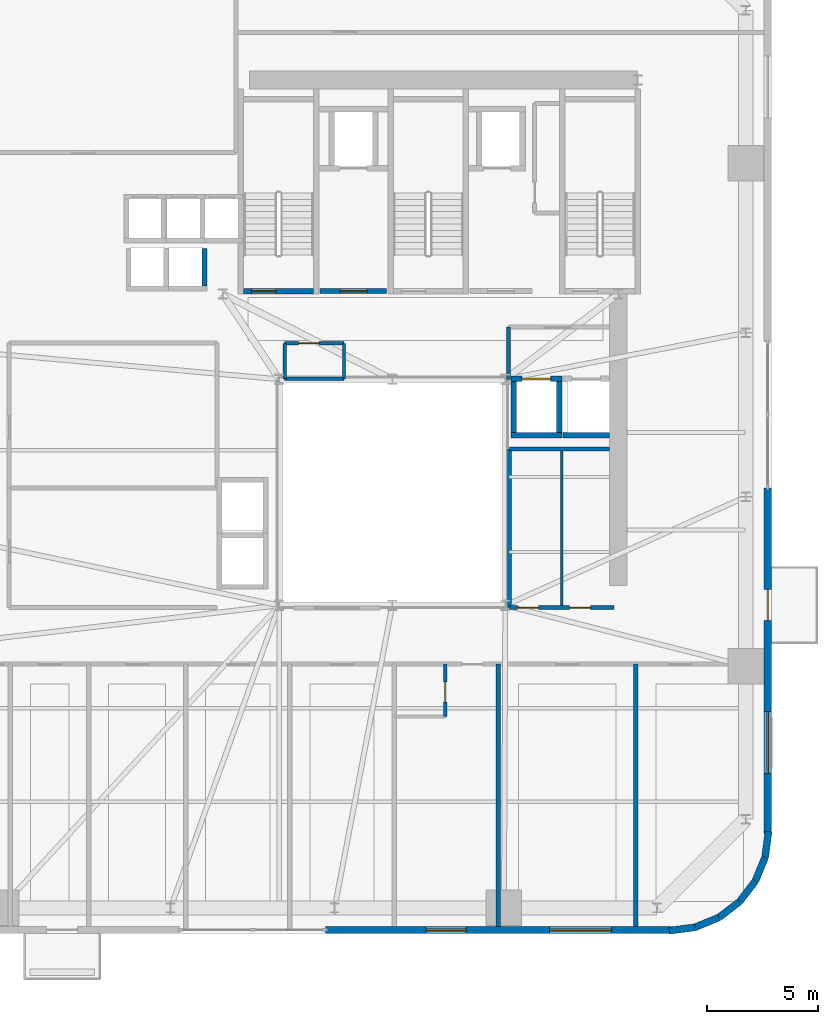
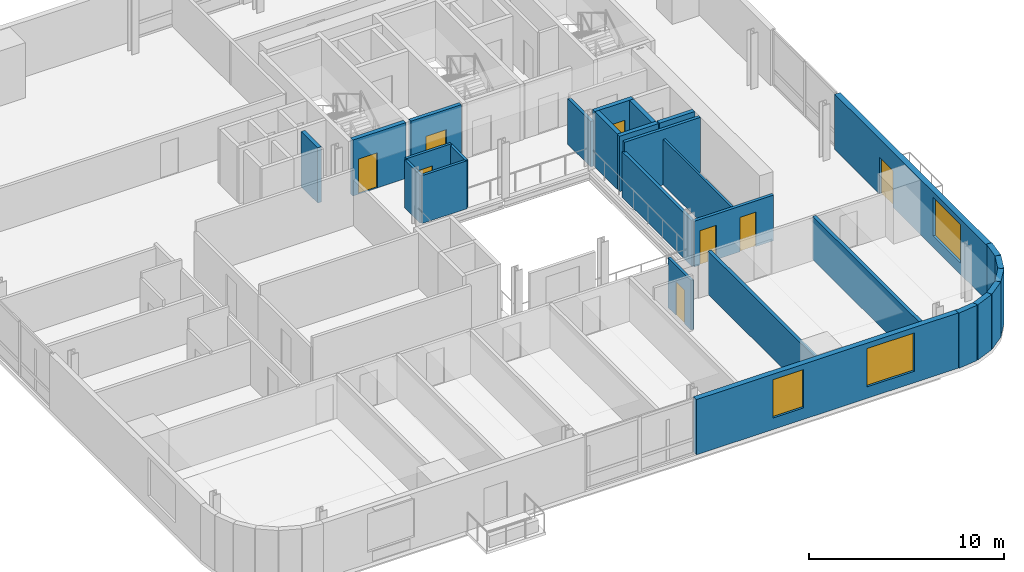
# One storey, part 7 of 11: 28 walls, 8 doors, 3 windows, 11 openings.
"""IFC4 building model written with IfcOpenShell, lengths in metres."""

from ifc_helpers import new_model, si_unit, direction, frame, frame_2d, origin, place, context, subcontext, project, spatial, rectangle, extrude, source, transform, mapped, material, layer, layer_set, type_object, element, fill, save


model = new_model("IFC4")

# Units and contexts
model_context = context("Model", 3, precision=1e-05, world=origin(), true_north=direction((0.0, 1.0)))
body_context = subcontext(model_context, "Body", "Model", "MODEL_VIEW")
ifc_project = project(units=[si_unit("LENGTHUNIT", "METRE"), si_unit("AREAUNIT", "SQUARE_METRE"), si_unit("VOLUMEUNIT", "CUBIC_METRE"), si_unit("PLANEANGLEUNIT", "RADIAN"), si_unit("MASSUNIT", "GRAM", prefix="KILO")], contexts=[model_context])

# Site, building, storey
site_placement = place(None, origin())
site = spatial("IfcSite", under=ifc_project, at=site_placement, CompositionType="ELEMENT")
building_placement = place(site_placement, origin())
building = spatial("IfcBuilding", under=site, at=building_placement, Name="Vardaveli Station Tower", CompositionType="ELEMENT")
storey_placement = place(building_placement, frame((0.0, 0.0, 155.699951171875)))
storey = spatial("IfcBuildingStorey", under=building, at=storey_placement, Name="L40", CompositionType="ELEMENT", Elevation=155.699951171875)

# Wall, openings, windows
ifc_material_1 = material(Name="Precast concrete C45/55", Category="concrete")
ifc_layer_1 = layer(ifc_material_1, 0.320068359375, Name="Precast concrete C45/55")
ifc_layer_set_1 = layer_set([ifc_layer_1], Name="Precast concrete C45/55")
wall_type_1 = type_object("IfcWallType", Name="WAL-EXT-STONE-320", PredefinedType="SOLIDWALL", material=ifc_layer_set_1)
shared_shape_1 = source(origin(), body_context, "Body", "SweptSolid", [
    extrude(rectangle(XDim=15.599853515625, YDim=0.320068359375, at=frame_2d((7.7998046875, 0.0))), origin(), (0.0, 0.0, 1.0), 3.4599609375),
])
wall_1_placement = place(storey_placement, frame((33.300048828125, 1.9599609375, 0.0), z_axis=(0.0, 0.0, 1.0), x_axis=(1.0, 0.0, 0.0)))
wall_1 = element("IfcWall", 1, at=wall_1_placement, inside=storey, type_object=wall_type_1, Name="EW-L40-S2", PredefinedType="SOLIDWALL", context=body_context, shape_type="MappedRepresentation", body=[
    mapped(shared_shape_1, transform((0.0, 0.0, 0.0), scale=1.0)),
])
shared_shape_2 = source(origin(), body_context, "Body", "SweptSolid", [
    extrude(rectangle(XDim=2.800048828125, YDim=2.39990234375, at=frame_2d((1.39990234375, 1.199951171875))), frame((0.0, 0.169921875, 0.0), z_axis=(0.0, -1.0, 0.0), x_axis=(1.0, 0.0, 0.0)), (0.0, 0.0, 1.0), 0.340087890625),
])
opening_1_placement = place(wall_1_placement, frame((10.094970703125, 0.0, 0.719970703125)))
opening_1 = element("IfcOpeningElement", 2, at=opening_1_placement, cuts=wall_1, Name="Opening W-04", PredefinedType="OPENING", context=body_context, shape_type="MappedRepresentation", body=[
    mapped(shared_shape_2, transform((0.0, 0.0, 0.0), scale=1.0)),
])
shared_shape_3 = source(origin(), body_context, "Body", "SweptSolid", [
    extrude(rectangle(XDim=1.800048828125, YDim=2.39990234375, at=frame_2d((0.89990234375, 1.199951171875))), frame((0.0, 0.169921875, 0.0), z_axis=(0.0, -1.0, 0.0), x_axis=(1.0, 0.0, 0.0)), (0.0, 0.0, 1.0), 0.340087890625),
])
opening_2_placement = place(wall_1_placement, frame((4.533203125, 0.0, 0.719970703125)))
opening_2 = element("IfcOpeningElement", 3, at=opening_2_placement, cuts=wall_1, Name="Opening W-05", PredefinedType="OPENING", context=body_context, shape_type="MappedRepresentation", body=[
    mapped(shared_shape_3, transform((0.0, 0.0, 0.0), scale=1.0)),
])
ifc_material_2 = material(Name="Low-E solar-control glass", Category="glass")
window_type_1 = type_object("IfcWindowType", Name="WIN-SUITE-2800x2400", PartitioningType="SINGLE_PANEL", PredefinedType="WINDOW", material=ifc_material_2)
shared_shape_4 = source(origin(), body_context, "Body", "SweptSolid", [
    extrude(rectangle(XDim=2.800048828125, YDim=2.39990234375, at=frame_2d((1.39990234375, 1.199951171875))), frame((0.0, 0.030029296875, 0.0), z_axis=(0.0, -1.0, 0.0), x_axis=(1.0, 0.0, 0.0)), (0.0, 0.0, 1.0), 0.06005859375),
])
window_1_placement = place(opening_1_placement, origin())
window_1 = element("IfcWindow", 4, at=window_1_placement, inside=storey, type_object=window_type_1, Name="WN-L40-S2", OverallHeight=2.39990234375, OverallWidth=2.800048828125, PartitioningType="SINGLE_PANEL", PredefinedType="WINDOW", context=body_context, shape_type="MappedRepresentation", body=[
    mapped(shared_shape_4, transform((0.0, 0.0, 0.0), scale=1.0)),
])
fill(opening_1, window_1)
window_type_2 = type_object("IfcWindowType", Name="WIN-HIGH-1800x2400", PartitioningType="SINGLE_PANEL", PredefinedType="WINDOW", material=ifc_material_2)
shared_shape_5 = source(origin(), body_context, "Body", "SweptSolid", [
    extrude(rectangle(XDim=1.800048828125, YDim=2.39990234375, at=frame_2d((0.89990234375, 1.199951171875))), frame((0.0, 0.030029296875, 0.0), z_axis=(0.0, -1.0, 0.0), x_axis=(1.0, 0.0, 0.0)), (0.0, 0.0, 1.0), 0.06005859375),
])
window_2_placement = place(opening_2_placement, origin())
window_2 = element("IfcWindow", 5, at=window_2_placement, inside=storey, type_object=window_type_2, Name="WN-L40-GW1", OverallHeight=2.39990234375, OverallWidth=1.800048828125, PartitioningType="SINGLE_PANEL", PredefinedType="WINDOW", context=body_context, shape_type="MappedRepresentation", body=[
    mapped(shared_shape_5, transform((0.0, 0.0, 0.0), scale=1.0)),
])
fill(opening_2, window_2)

# Wall, openings, door, window
wall_2_placement = place(storey_placement, frame((53.239990234375, 6.300048828125, 0.0), z_axis=(0.0, 0.0, 1.0), x_axis=(0.0, 1.0, 0.0)))
wall_2 = element("IfcWall", 6, at=wall_2_placement, inside=storey, type_object=wall_type_1, Name="EW-L40-E1", PredefinedType="SOLIDWALL", context=body_context, shape_type="MappedRepresentation", body=[
    mapped(shared_shape_1, transform((0.0, 0.0, 0.0), scale=1.0)),
])
shared_shape_6 = source(origin(), body_context, "Body", "SweptSolid", [
    extrude(rectangle(XDim=1.39990234375, YDim=2.300048828125, at=frame_2d((0.699951171875, 1.14990234375))), frame((0.0, 0.169921875, 0.0), z_axis=(0.0, -1.0, 0.0), x_axis=(1.0, 0.0, 0.0)), (0.0, 0.0, 1.0), 0.340087890625),
])
opening_3_placement = place(wall_2_placement, frame((9.6103515625, 0.0, 0.0)))
opening_3 = element("IfcOpeningElement", 7, at=opening_3_placement, cuts=wall_2, Name="Opening D-09", PredefinedType="OPENING", context=body_context, shape_type="MappedRepresentation", body=[
    mapped(shared_shape_6, transform((0.0, 0.0, 0.0), scale=1.0)),
])
opening_4_placement = place(wall_2_placement, frame((2.705078125, 0.0, 0.719970703125)))
opening_4 = element("IfcOpeningElement", 8, at=opening_4_placement, cuts=wall_2, Name="Opening W-04", PredefinedType="OPENING", context=body_context, shape_type="MappedRepresentation", body=[
    mapped(shared_shape_2, transform((0.0, 0.0, 0.0), scale=1.0)),
])
ifc_material_3 = material(Name="Thermally broken aluminium glass", Category="aluminium")
door_type_1 = type_object("IfcDoorType", Name="DR-LOG-1400x2300", OperationType="DOUBLE_DOOR_SLIDING", PredefinedType="DOOR", material=ifc_material_3)
shared_shape_7 = source(origin(), body_context, "Body", "SweptSolid", [
    extrude(rectangle(XDim=1.39990234375, YDim=2.300048828125, at=frame_2d((0.699951171875, 1.14990234375))), frame((0.0, 0.02490234375, 0.0), z_axis=(0.0, -1.0, 0.0), x_axis=(1.0, 0.0, 0.0)), (0.0, 0.0, 1.0), 0.050048828125),
])
door_1_placement = place(opening_3_placement, frame((1.39990234375, 0.0, 0.0), z_axis=(0.0, 0.0, 1.0), x_axis=(-1.0, 0.0, 0.0)))
door_1 = element("IfcDoor", 9, at=door_1_placement, inside=storey, type_object=door_type_1, Name="DLG-L40-E", OperationType="DOUBLE_DOOR_SLIDING", OverallHeight=2.300048828125, OverallWidth=1.39990234375, PredefinedType="DOOR", context=body_context, shape_type="MappedRepresentation", body=[
    mapped(shared_shape_7, transform((0.0, 0.0, 0.0), scale=1.0)),
])
fill(opening_3, door_1)
window_3_placement = place(opening_4_placement, origin())
window_3 = element("IfcWindow", 10, at=window_3_placement, inside=storey, type_object=window_type_1, Name="WN-L40-E1", OverallHeight=2.39990234375, OverallWidth=2.800048828125, PartitioningType="SINGLE_PANEL", PredefinedType="WINDOW", context=body_context, shape_type="MappedRepresentation", body=[
    mapped(shared_shape_4, transform((0.0, 0.0, 0.0), scale=1.0)),
])
fill(opening_4, window_3)

# Walls
shared_shape_8 = source(origin(), body_context, "Body", "SweptSolid", [
    extrude(rectangle(XDim=1.170654296875, YDim=0.320068359375, at=frame_2d((0.58544921875, 0.0))), origin(), (0.0, 0.0, 1.0), 3.4599609375),
])
wall_3_placement = place(storey_placement, frame((53.12548828125, 5.23974609375, 0.0), z_axis=(0.0, 0.0, 1.0), x_axis=(0.128269133229, 0.991739395941, 0.0)))
element("IfcWall", 11, at=wall_3_placement, inside=storey, type_object=wall_type_1, Name="EW-L40-CR2-6", PredefinedType="SOLIDWALL", context=body_context, shape_type="MappedRepresentation", body=[
    mapped(shared_shape_8, transform((0.0, 0.0, 0.0), scale=1.0)),
])
shared_shape_9 = source(origin(), body_context, "Body", "SweptSolid", [
    extrude(rectangle(XDim=1.1689453125, YDim=0.320068359375, at=frame_2d((0.58447265625, 0.0))), origin(), (0.0, 0.0, 1.0), 3.4599609375),
])
for number, where, z_axis, x_axis, name in (
    (12, (51.96875, 3.231201171875, 0.0), (0.0, 0.0, 1.0), (0.608387696831, 0.793639975269, 0.0), "EW-L40-CR2-4"),
    (13, (52.679931640625, 4.158935546875, 0.0), (0.0, 0.0, 1.0), (0.381127904695, 0.924522320046, 0.0), "EW-L40-CR2-5"),
):
    element("IfcWall", number, at=place(storey_placement, frame(where, z_axis=z_axis, x_axis=x_axis)), inside=storey, type_object=wall_type_1, Name=name, PredefinedType="SOLIDWALL", context=body_context, shape_type="MappedRepresentation", body=[
        mapped(shared_shape_9, transform((0.0, 0.0, 0.0), scale=1.0)),
    ])
shared_shape_10 = source(origin(), body_context, "Body", "SweptSolid", [
    extrude(rectangle(XDim=1.168701171875, YDim=0.320068359375, at=frame_2d((0.58447265625, 0.0))), origin(), (0.0, 0.0, 1.0), 3.4599609375),
])
wall_4_placement = place(storey_placement, frame((51.041259765625, 2.520263671875, 0.0), z_axis=(0.0, 0.0, 1.0), x_axis=(0.793663520347, 0.608356981114, 0.0)))
element("IfcWall", 14, at=wall_4_placement, inside=storey, type_object=wall_type_1, Name="EW-L40-CR2-3", PredefinedType="SOLIDWALL", context=body_context, shape_type="MappedRepresentation", body=[
    mapped(shared_shape_10, transform((0.0, 0.0, 0.0), scale=1.0)),
])
shared_shape_11 = source(origin(), body_context, "Body", "SweptSolid", [
    extrude(rectangle(XDim=1.16943359375, YDim=0.320068359375, at=frame_2d((0.584716796875, 0.0))), origin(), (0.0, 0.0, 1.0), 3.4599609375),
])
wall_5_placement = place(storey_placement, frame((49.960205078125, 2.074462890625, 0.0), z_axis=(0.0, 0.0, 1.0), x_axis=(0.924479075121, 0.381232789334, 0.0)))
element("IfcWall", 15, at=wall_5_placement, inside=storey, type_object=wall_type_1, Name="EW-L40-CR2-2", PredefinedType="SOLIDWALL", context=body_context, shape_type="MappedRepresentation", body=[
    mapped(shared_shape_11, transform((0.0, 0.0, 0.0), scale=1.0)),
])
shared_shape_12 = source(origin(), body_context, "Body", "SweptSolid", [
    extrude(rectangle(XDim=1.170166015625, YDim=0.320068359375, at=frame_2d((0.5849609375, 0.0))), origin(), (0.0, 0.0, 1.0), 3.4599609375),
])
wall_6_placement = place(storey_placement, frame((48.799560546875, 1.924560546875, 0.0), z_axis=(0.0, 0.0, 1.0), x_axis=(0.991762485493, 0.128090485085, 0.0)))
element("IfcWall", 16, at=wall_6_placement, inside=storey, type_object=wall_type_1, Name="EW-L40-CR2-1", PredefinedType="SOLIDWALL", context=body_context, shape_type="MappedRepresentation", body=[
    mapped(shared_shape_12, transform((0.0, 0.0, 0.0), scale=1.0)),
])

# Wall, opening, door
ifc_material_4 = material(Name="Concrete C40/50", Category="concrete")
ifc_layer_2 = layer(ifc_material_4, 0.25, Name="Concrete C40/50")
ifc_layer_set_2 = layer_set([ifc_layer_2], Name="Concrete C40/50")
wall_type_2 = type_object("IfcWallType", Name="WAL-SHAFT-250", PredefinedType="SOLIDWALL", material=ifc_layer_set_2)
shared_shape_13 = source(origin(), body_context, "Body", "SweptSolid", [
    extrude(rectangle(XDim=3.14990234375, YDim=0.25, at=frame_2d((1.574951171875, 0.0))), origin(), (0.0, 0.0, 1.0), 3.5),
])
wall_7_placement = place(storey_placement, frame((29.60009765625, 30.77490234375, 0.0), z_axis=(0.0, 0.0, 1.0), x_axis=(1.0, 0.0, 0.0)))
wall_7 = element("IfcWall", 17, at=wall_7_placement, inside=storey, type_object=wall_type_2, Name="W-L40-ST-1S", PredefinedType="SOLIDWALL", context=body_context, shape_type="MappedRepresentation", body=[
    mapped(shared_shape_13, transform((0.0, 0.0, 0.0), scale=1.0)),
])
shared_shape_14 = source(origin(), body_context, "Body", "SweptSolid", [
    extrude(rectangle(XDim=1.10009765625, YDim=2.199951171875, at=frame_2d((0.550048828125, 1.10009765625))), frame((0.0, 0.135009765625, 0.0), z_axis=(0.0, -1.0, 0.0), x_axis=(1.0, 0.0, 0.0)), (0.0, 0.0, 1.0), 0.27001953125),
])
opening_5_placement = place(wall_7_placement, frame((0.35009765625, 0.0, 0.0)))
opening_5 = element("IfcOpeningElement", 18, at=opening_5_placement, cuts=wall_7, Name="Opening D-04", PredefinedType="OPENING", context=body_context, shape_type="MappedRepresentation", body=[
    mapped(shared_shape_14, transform((0.0, 0.0, 0.0), scale=1.0)),
])
ifc_material_5 = material(Name="Steel smokeproof fire doorset", Category="steel")
door_type_2 = type_object("IfcDoorType", Name="DR-ST-1100x2200", OperationType="NOTDEFINED", PredefinedType="DOOR", material=ifc_material_5)
shared_shape_15 = source(origin(), body_context, "Body", "SweptSolid", [
    extrude(rectangle(XDim=1.10009765625, YDim=2.199951171875, at=frame_2d((0.550048828125, 1.10009765625))), frame((0.0, 0.02490234375, 0.0), z_axis=(0.0, -1.0, 0.0), x_axis=(1.0, 0.0, 0.0)), (0.0, 0.0, 1.0), 0.050048828125),
])
door_2_placement = place(opening_5_placement, origin())
door_2 = element("IfcDoor", 19, at=door_2_placement, inside=storey, type_object=door_type_2, Name="DST-1-L40", OperationType="SINGLE_SWING_LEFT", OverallHeight=2.199951171875, OverallWidth=1.10009765625, PredefinedType="DOOR", context=body_context, shape_type="MappedRepresentation", body=[
    mapped(shared_shape_15, transform((0.0, 0.0, 0.0), scale=1.0)),
])
fill(opening_5, door_2)

ifc_layer_3 = layer(ifc_material_4, 0.219970703125, Name="Concrete C40/50")
ifc_layer_set_3 = layer_set([ifc_layer_3], Name="Concrete C40/50")
wall_type_3 = type_object("IfcWallType", Name="WAL-FFLOBBY-220", PredefinedType="SOLIDWALL", material=ifc_layer_set_3)
shared_shape_16 = source(origin(), body_context, "Body", "SweptSolid", [
    extrude(rectangle(XDim=3.0, YDim=0.219970703125, at=frame_2d((1.5, 0.0))), origin(), (0.0, 0.0, 1.0), 3.4599609375),
])
wall_8_placement = place(storey_placement, frame((33.050048828125, 30.780029296875, 0.0), z_axis=(0.0, 0.0, 1.0), x_axis=(1.0, 0.0, 0.0)))
wall_8 = element("IfcWall", 20, at=wall_8_placement, inside=storey, type_object=wall_type_3, Name="W-L40-FFL1S", PredefinedType="SOLIDWALL", context=body_context, shape_type="MappedRepresentation", body=[
    mapped(shared_shape_16, transform((0.0, 0.0, 0.0), scale=1.0)),
])
shared_shape_17 = source(origin(), body_context, "Body", "SweptSolid", [
    extrude(rectangle(XDim=1.199951171875, YDim=2.199951171875, at=frame_2d((0.60009765625, 1.10009765625))), frame((0.0, 0.1201171875, 0.0), z_axis=(0.0, -1.0, 0.0), x_axis=(1.0, 0.0, 0.0)), (0.0, 0.0, 1.0), 0.239990234375),
])
opening_6_placement = place(wall_8_placement, frame((0.89990234375, 0.0, 0.0)))
opening_6 = element("IfcOpeningElement", 21, at=opening_6_placement, cuts=wall_8, Name="Opening D-03", PredefinedType="OPENING", context=body_context, shape_type="MappedRepresentation", body=[
    mapped(shared_shape_17, transform((0.0, 0.0, 0.0), scale=1.0)),
])
door_type_3 = type_object("IfcDoorType", Name="DR-FFL-1200x2200", OperationType="NOTDEFINED", PredefinedType="DOOR", material=ifc_material_5)
shared_shape_18 = source(origin(), body_context, "Body", "SweptSolid", [
    extrude(rectangle(XDim=1.199951171875, YDim=2.199951171875, at=frame_2d((0.60009765625, 1.10009765625))), frame((0.0, 0.02490234375, 0.0), z_axis=(0.0, -1.0, 0.0), x_axis=(1.0, 0.0, 0.0)), (0.0, 0.0, 1.0), 0.050048828125),
])
door_3_placement = place(opening_6_placement, origin())
door_3 = element("IfcDoor", 22, at=door_3_placement, inside=storey, type_object=door_type_3, Name="DFFL1-L40", OperationType="SINGLE_SWING_LEFT", OverallHeight=2.199951171875, OverallWidth=1.199951171875, PredefinedType="DOOR", context=body_context, shape_type="MappedRepresentation", body=[
    mapped(shared_shape_18, transform((0.0, 0.0, 0.0), scale=1.0)),
])
fill(opening_6, door_3)

# Walls
shared_shape_19 = source(origin(), body_context, "Body", "SweptSolid", [
    extrude(rectangle(XDim=1.699951171875, YDim=0.219970703125, at=frame_2d((0.85009765625, 0.0))), origin(), (0.0, 0.0, 1.0), 3.4599609375),
])
wall_9_placement = place(storey_placement, frame((27.8349609375, 31.0, 0.0), z_axis=(0.0, 0.0, 1.0), x_axis=(0.0, 1.0, 0.0)))
element("IfcWall", 23, at=wall_9_placement, inside=storey, type_object=wall_type_3, Name="SHW-SHU-02-L40-E", PredefinedType="SOLIDWALL", context=body_context, shape_type="MappedRepresentation", body=[
    mapped(shared_shape_19, transform((0.0, 0.0, 0.0), scale=1.0)),
])
shared_shape_20 = source(origin(), body_context, "Body", "SweptSolid", [
    extrude(rectangle(XDim=2.300048828125, YDim=0.25, at=frame_2d((1.14990234375, 0.0))), origin(), (0.0, 0.0, 1.0), 3.4599609375),
])
wall_10_placement = place(storey_placement, frame((41.64990234375, 24.27490234375, 0.0), z_axis=(0.0, 0.0, 1.0), x_axis=(1.0, 0.0, 0.0)))
element("IfcWall", 24, at=wall_10_placement, inside=storey, type_object=wall_type_2, Name="SHW-SRV-01-L40-S", PredefinedType="SOLIDWALL", context=body_context, shape_type="MappedRepresentation", body=[
    mapped(shared_shape_20, transform((0.0, 0.0, 0.0), scale=1.0)),
])

# Wall, opening, door
wall_11_placement = place(storey_placement, frame((41.64990234375, 26.824951171875, 0.0), z_axis=(0.0, 0.0, 1.0), x_axis=(1.0, 0.0, 0.0)))
wall_11 = element("IfcWall", 25, at=wall_11_placement, inside=storey, type_object=wall_type_2, Name="SHW-SRV-01-L40-N", PredefinedType="SOLIDWALL", context=body_context, shape_type="MappedRepresentation", body=[
    mapped(shared_shape_20, transform((0.0, 0.0, 0.0), scale=1.0)),
])
shared_shape_21 = source(origin(), body_context, "Body", "SweptSolid", [
    extrude(rectangle(XDim=1.300048828125, YDim=2.300048828125, at=frame_2d((0.64990234375, 1.14990234375))), frame((0.0, 0.135009765625, 0.0), z_axis=(0.0, -1.0, 0.0), x_axis=(1.0, 0.0, 0.0)), (0.0, 0.0, 1.0), 0.27001953125),
])
opening_7_placement = place(wall_11_placement, frame((0.5, 0.0, 0.0)))
opening_7 = element("IfcOpeningElement", 26, at=opening_7_placement, cuts=wall_11, Name="Opening LD-03", PredefinedType="OPENING", context=body_context, shape_type="MappedRepresentation", body=[
    mapped(shared_shape_21, transform((0.0, 0.0, 0.0), scale=1.0)),
])
ifc_material_6 = material(Name="Brushed stainless steel", Category="steel")
door_type_4 = type_object("IfcDoorType", Name="DR-LD-1300x2300", OperationType="DOUBLE_DOOR_SLIDING", PredefinedType="DOOR", material=ifc_material_6)
shared_shape_22 = source(origin(), body_context, "Body", "SweptSolid", [
    extrude(rectangle(XDim=1.300048828125, YDim=2.300048828125, at=frame_2d((0.64990234375, 1.14990234375))), frame((0.0, 0.02490234375, 0.0), z_axis=(0.0, -1.0, 0.0), x_axis=(1.0, 0.0, 0.0)), (0.0, 0.0, 1.0), 0.050048828125),
])
door_4_placement = place(opening_7_placement, origin())
door_4 = element("IfcDoor", 27, at=door_4_placement, inside=storey, type_object=door_type_4, Name="LD-SRV-01-L40", OperationType="DOUBLE_DOOR_SLIDING", OverallHeight=2.300048828125, OverallWidth=1.300048828125, PredefinedType="DOOR", context=body_context, shape_type="MappedRepresentation", body=[
    mapped(shared_shape_22, transform((0.0, 0.0, 0.0), scale=1.0)),
])
fill(opening_7, door_4)

# Walls
for number, where, z_axis, x_axis, name in (
    (28, (41.77490234375, 24.39990234375, 0.0), (0.0, 0.0, 1.0), (0.0, 1.0, 0.0), "SHW-SRV-01-L40-W"),
    (29, (43.824951171875, 24.39990234375, 0.0), (0.0, 0.0, 1.0), (0.0, 1.0, 0.0), "SHW-SRV-01-L40-E"),
):
    element("IfcWall", number, at=place(storey_placement, frame(where, z_axis=z_axis, x_axis=x_axis)), inside=storey, type_object=wall_type_2, Name=name, PredefinedType="SOLIDWALL", context=body_context, shape_type="MappedRepresentation", body=[
        mapped(shared_shape_20, transform((0.0, 0.0, 0.0), scale=1.0)),
    ])
shared_shape_23 = source(origin(), body_context, "Body", "SweptSolid", [
    extrude(rectangle(XDim=2.10009765625, YDim=0.25, at=frame_2d((1.050048828125, 0.0))), origin(), (0.0, 0.0, 1.0), 3.4599609375),
])
wall_12_placement = place(storey_placement, frame((44.0, 24.27490234375, 0.0), z_axis=(0.0, 0.0, 1.0), x_axis=(1.0, 0.0, 0.0)))
element("IfcWall", 30, at=wall_12_placement, inside=storey, type_object=wall_type_2, Name="SHW-SRV-02-L40-S", PredefinedType="SOLIDWALL", context=body_context, shape_type="MappedRepresentation", body=[
    mapped(shared_shape_23, transform((0.0, 0.0, 0.0), scale=1.0)),
])

# Wall, openings, doors
ifc_material_7 = material(Name="Fire-rated gypsum stud partition")
ifc_layer_4 = layer(ifc_material_7, 0.179931640625, Name="Fire-rated gypsum stud partition")
ifc_layer_set_4 = layer_set([ifc_layer_4], Name="Fire-rated gypsum stud partition")
wall_type_4 = type_object("IfcWallType", Name="WAL-CORR-180", PredefinedType="PARTITIONING", material=ifc_layer_set_4)
shared_shape_24 = source(origin(), body_context, "Body", "SweptSolid", [
    extrude(rectangle(XDim=4.699951171875, YDim=0.179931640625, at=frame_2d((2.35009765625, 0.0))), origin(), (0.0, 0.0, 1.0), 2.85205078125),
])
wall_13_placement = place(storey_placement, frame((41.60009765625, 16.5, 0.0), z_axis=(0.0, 0.0, 1.0), x_axis=(1.0, 0.0, 0.0)))
wall_13 = element("IfcWall", 31, at=wall_13_placement, inside=storey, type_object=wall_type_4, Name="W-L40-ATE-S", PredefinedType="PARTITIONING", context=body_context, shape_type="MappedRepresentation", body=[
    mapped(shared_shape_24, transform((0.0, 0.0, 0.0), scale=1.0)),
])
shared_shape_25 = source(origin(), body_context, "Body", "SweptSolid", [
    extrude(rectangle(XDim=0.949951171875, YDim=2.14990234375, at=frame_2d((0.47509765625, 1.074951171875))), frame((0.0, 0.10009765625, 0.0), z_axis=(0.0, -1.0, 0.0), x_axis=(1.0, 0.0, 0.0)), (0.0, 0.0, 1.0), 0.199951171875),
])
opening_8_placement = place(wall_13_placement, frame((0.35009765625, 0.0, 0.0)))
opening_8 = element("IfcOpeningElement", 32, at=opening_8_placement, cuts=wall_13, Name="Opening D-11", PredefinedType="OPENING", context=body_context, shape_type="MappedRepresentation", body=[
    mapped(shared_shape_25, transform((0.0, 0.0, 0.0), scale=1.0)),
])
opening_9_placement = place(wall_13_placement, frame((2.699951171875, 0.0, 0.0)))
opening_9 = element("IfcOpeningElement", 33, at=opening_9_placement, cuts=wall_13, Name="Opening D-11", PredefinedType="OPENING", context=body_context, shape_type="MappedRepresentation", body=[
    mapped(shared_shape_25, transform((0.0, 0.0, 0.0), scale=1.0)),
])
ifc_material_8 = material(Name="Oak veneer internal suite door")
door_type_5 = type_object("IfcDoorType", Name="DR-INT-950x2150", OperationType="NOTDEFINED", PredefinedType="DOOR", material=ifc_material_8)
shared_shape_26 = source(origin(), body_context, "Body", "SweptSolid", [
    extrude(rectangle(XDim=0.949951171875, YDim=2.14990234375, at=frame_2d((0.47509765625, 1.074951171875))), frame((0.0, 0.02490234375, 0.0), z_axis=(0.0, -1.0, 0.0), x_axis=(1.0, 0.0, 0.0)), (0.0, 0.0, 1.0), 0.050048828125),
])
door_5_placement = place(opening_8_placement, origin())
door_5 = element("IfcDoor", 34, at=door_5_placement, inside=storey, type_object=door_type_5, Name="D-L40-ATE1", OperationType="SINGLE_SWING_RIGHT", OverallHeight=2.14990234375, OverallWidth=0.949951171875, PredefinedType="DOOR", context=body_context, shape_type="MappedRepresentation", body=[
    mapped(shared_shape_26, transform((0.0, 0.0, 0.0), scale=1.0)),
])
fill(opening_8, door_5)
door_6_placement = place(opening_9_placement, origin())
door_6 = element("IfcDoor", 35, at=door_6_placement, inside=storey, type_object=door_type_5, Name="D-L40-ATE2", OperationType="SINGLE_SWING_RIGHT", OverallHeight=2.14990234375, OverallWidth=0.949951171875, PredefinedType="DOOR", context=body_context, shape_type="MappedRepresentation", body=[
    mapped(shared_shape_26, transform((0.0, 0.0, 0.0), scale=1.0)),
])
fill(opening_9, door_6)

# Wall, opening, door
ifc_material_9 = material(Name="Moisture-resistant stud partition")
ifc_layer_5 = layer(ifc_material_9, 0.14990234375, Name="Moisture-resistant stud partition")
ifc_layer_set_5 = layer_set([ifc_layer_5], Name="Moisture-resistant stud partition")
wall_type_5 = type_object("IfcWallType", Name="WAL-WET-150", PredefinedType="PARTITIONING", material=ifc_layer_set_5)
shared_shape_27 = source(origin(), body_context, "Body", "SweptSolid", [
    extrude(rectangle(XDim=2.670166015625, YDim=0.14990234375, at=frame_2d((1.3349609375, 0.0))), origin(), (0.0, 0.0, 1.0), 3.092041015625),
])
wall_14_placement = place(storey_placement, frame((31.449951171875, 28.419921875, 0.0), z_axis=(0.0, 0.0, 1.0), x_axis=(1.0, 0.0, 0.0)))
wall_14 = element("IfcWall", 36, at=wall_14_placement, inside=storey, type_object=wall_type_5, Name="W-L40-WCA1-N", PredefinedType="PARTITIONING", context=body_context, shape_type="MappedRepresentation", body=[
    mapped(shared_shape_27, transform((0.0, 0.0, 0.0), scale=1.0)),
])
shared_shape_28 = source(origin(), body_context, "Body", "SweptSolid", [
    extrude(rectangle(XDim=0.919921875, YDim=2.10009765625, at=frame_2d((0.4599609375, 1.050048828125))), frame((0.0, 0.0849609375, 0.0), z_axis=(0.0, -1.0, 0.0), x_axis=(1.0, 0.0, 0.0)), (0.0, 0.0, 1.0), 0.169921875),
])
opening_10_placement = place(wall_14_placement, frame((0.6298828125, 0.0, 0.0)))
opening_10 = element("IfcOpeningElement", 37, at=opening_10_placement, cuts=wall_14, Name="Opening D-07", PredefinedType="OPENING", context=body_context, shape_type="MappedRepresentation", body=[
    mapped(shared_shape_28, transform((0.0, 0.0, 0.0), scale=1.0)),
])
ifc_material_10 = material(Name="Moisture-resistant hardwood door", Category="wood")
door_type_6 = type_object("IfcDoorType", Name="DR-WC-920x2100", OperationType="NOTDEFINED", PredefinedType="DOOR", material=ifc_material_10)
shared_shape_29 = source(origin(), body_context, "Body", "SweptSolid", [
    extrude(rectangle(XDim=0.919921875, YDim=2.10009765625, at=frame_2d((0.4599609375, 1.050048828125))), frame((0.0, 0.02490234375, 0.0), z_axis=(0.0, -1.0, 0.0), x_axis=(1.0, 0.0, 0.0)), (0.0, 0.0, 1.0), 0.050048828125),
])
door_7_placement = place(opening_10_placement, origin())
door_7 = element("IfcDoor", 38, at=door_7_placement, inside=storey, type_object=door_type_6, Name="D-L40-WCA", OperationType="SINGLE_SWING_LEFT", OverallHeight=2.10009765625, OverallWidth=0.919921875, PredefinedType="DOOR", context=body_context, shape_type="MappedRepresentation", body=[
    mapped(shared_shape_29, transform((0.0, 0.0, 0.0), scale=1.0)),
])
fill(opening_10, door_7)

# Walls
shared_shape_30 = source(origin(), body_context, "Body", "SweptSolid", [
    extrude(rectangle(XDim=7.14990234375, YDim=0.179931640625, at=frame_2d((3.574951171875, 0.0))), origin(), (0.0, 0.0, 1.0), 2.85205078125),
])
wall_15_placement = place(storey_placement, frame((41.60009765625, 16.5, 0.0), z_axis=(0.0, 0.0, 1.0), x_axis=(0.0, 1.0, 0.0)))
element("IfcWall", 39, at=wall_15_placement, inside=storey, type_object=wall_type_4, Name="W-L40-ATE-W", PredefinedType="PARTITIONING", context=body_context, shape_type="MappedRepresentation", body=[
    mapped(shared_shape_30, transform((0.0, 0.0, 0.0), scale=1.0)),
])
ifc_material_11 = material(Name="Gypsum board stud partition")
ifc_layer_6 = layer(ifc_material_11, 0.125, Name="Gypsum board stud partition")
ifc_layer_set_6 = layer_set([ifc_layer_6], Name="Gypsum board stud partition")
wall_type_6 = type_object("IfcWallType", Name="WAL-INT-125", PredefinedType="PARTITIONING", material=ifc_layer_set_6)
shared_shape_31 = source(origin(), body_context, "Body", "SweptSolid", [
    extrude(rectangle(XDim=7.14990234375, YDim=0.125, at=frame_2d((3.574951171875, 0.0))), origin(), (0.0, 0.0, 1.0), 2.85205078125),
])
wall_16_placement = place(storey_placement, frame((43.949951171875, 16.5, 0.0), z_axis=(0.0, 0.0, 1.0), x_axis=(0.0, 1.0, 0.0)))
element("IfcWall", 40, at=wall_16_placement, inside=storey, type_object=wall_type_6, Name="W-L40-ATEM", PredefinedType="PARTITIONING", context=body_context, shape_type="MappedRepresentation", body=[
    mapped(shared_shape_31, transform((0.0, 0.0, 0.0), scale=1.0)),
])
shared_shape_32 = source(origin(), body_context, "Body", "SweptSolid", [
    extrude(rectangle(XDim=4.497802734375, YDim=0.179931640625, at=frame_2d((2.2490234375, 0.0))), origin(), (0.0, 0.0, 1.0), 3.4599609375),
])
wall_17_placement = place(storey_placement, frame((41.60009765625, 23.64990234375, 0.0), z_axis=(0.0, 0.0, 1.0), x_axis=(1.0, 0.0, 0.0)))
element("IfcWall", 41, at=wall_17_placement, inside=storey, type_object=wall_type_4, Name="W-L40-ATE-N", PredefinedType="PARTITIONING", context=body_context, shape_type="MappedRepresentation", body=[
    mapped(shared_shape_32, transform((0.0, 0.0, 0.0), scale=1.0)),
])
shared_shape_33 = source(origin(), body_context, "Body", "SweptSolid", [
    extrude(rectangle(XDim=2.670166015625, YDim=0.14990234375, at=frame_2d((1.3349609375, 0.0))), origin(), (0.0, 0.0, 1.0), 3.001953125),
])
wall_18_placement = place(storey_placement, frame((31.449951171875, 26.820068359375, 0.0), z_axis=(0.0, 0.0, 1.0), x_axis=(1.0, 0.0, 0.0)))
element("IfcWall", 42, at=wall_18_placement, inside=storey, type_object=wall_type_5, Name="W-L40-WCA1-S", PredefinedType="PARTITIONING", context=body_context, shape_type="MappedRepresentation", body=[
    mapped(shared_shape_33, transform((0.0, 0.0, 0.0), scale=1.0)),
])
shared_shape_34 = source(origin(), body_context, "Body", "SweptSolid", [
    extrude(rectangle(XDim=2.349853515625, YDim=0.179931640625, at=frame_2d((1.1748046875, 0.0))), origin(), (0.0, 0.0, 1.0), 2.85205078125),
])
wall_19_placement = place(storey_placement, frame((41.550048828125, 26.800048828125, 0.0), z_axis=(0.0, 0.0, 1.0), x_axis=(0.0, 1.0, 0.0)))
element("IfcWall", 43, at=wall_19_placement, inside=storey, type_object=wall_type_4, Name="W-L40-SVFW", PredefinedType="PARTITIONING", context=body_context, shape_type="MappedRepresentation", body=[
    mapped(shared_shape_34, transform((0.0, 0.0, 0.0), scale=1.0)),
])
shared_shape_35 = source(origin(), body_context, "Body", "SweptSolid", [
    extrude(rectangle(XDim=1.599853515625, YDim=0.14990234375, at=frame_2d((0.7998046875, 0.0))), origin(), (0.0, 0.0, 1.0), 3.001953125),
])
for number, where, z_axis, x_axis, name in (
    (44, (31.449951171875, 26.820068359375, 0.0), (0.0, 0.0, 1.0), (0.0, 1.0, 0.0), "W-L40-WCA1-W"),
    (45, (34.1201171875, 26.820068359375, 0.0), (0.0, 0.0, 1.0), (0.0, 1.0, 0.0), "W-L40-WCA1-E"),
):
    element("IfcWall", number, at=place(storey_placement, frame(where, z_axis=z_axis, x_axis=x_axis)), inside=storey, type_object=wall_type_5, Name=name, PredefinedType="PARTITIONING", context=body_context, shape_type="MappedRepresentation", body=[
        mapped(shared_shape_35, transform((0.0, 0.0, 0.0), scale=1.0)),
    ])
ifc_material_12 = material(Name="Acoustic twin-stud gypsum partition")
ifc_layer_7 = layer(ifc_material_12, 0.199951171875, Name="Acoustic twin-stud gypsum partition")
ifc_layer_set_7 = layer_set([ifc_layer_7], Name="Acoustic twin-stud gypsum partition")
wall_type_7 = type_object("IfcWallType", Name="WAL-PARTY-200", PredefinedType="PARTITIONING", material=ifc_layer_set_7)
shared_shape_36 = source(origin(), body_context, "Body", "SweptSolid", [
    extrude(rectangle(XDim=11.827880859375, YDim=0.199951171875, at=frame_2d((5.9140625, 0.0))), origin(), (0.0, 0.0, 1.0), 2.7021484375),
])
for number, where, z_axis, x_axis, name in (
    (46, (41.0849609375, 2.1220703125, 0.0), (0.0, 0.0, 1.0), (0.0, 1.0, 0.0), "W-L40-PS6"),
    (47, (47.2880859375, 2.1220703125, 0.0), (0.0, 0.0, 1.0), (0.0, 1.0, 0.0), "W-L40-PS7"),
):
    element("IfcWall", number, at=place(storey_placement, frame(where, z_axis=z_axis, x_axis=x_axis)), inside=storey, type_object=wall_type_7, Name=name, PredefinedType="PARTITIONING", context=body_context, shape_type="MappedRepresentation", body=[
        mapped(shared_shape_36, transform((0.0, 0.0, 0.0), scale=1.0)),
    ])

# Wall, opening, door
shared_shape_37 = source(origin(), body_context, "Body", "SweptSolid", [
    extrude(rectangle(XDim=2.35986328125, YDim=0.14990234375, at=frame_2d((1.179931640625, 0.0))), origin(), (0.0, 0.0, 1.0), 3.1220703125),
])
wall_20_placement = place(storey_placement, frame((38.69189453125, 11.590087890625, 0.0), z_axis=(0.0, 0.0, 1.0), x_axis=(0.0, 1.0, 0.0)))
wall_20 = element("IfcWall", 48, at=wall_20_placement, inside=storey, type_object=wall_type_5, Name="W-L40-BS6-E", PredefinedType="PARTITIONING", context=body_context, shape_type="MappedRepresentation", body=[
    mapped(shared_shape_37, transform((0.0, 0.0, 0.0), scale=1.0)),
])
shared_shape_38 = source(origin(), body_context, "Body", "SweptSolid", [
    extrude(rectangle(XDim=0.89990234375, YDim=2.10009765625, at=frame_2d((0.449951171875, 1.050048828125))), frame((0.0, 0.0849609375, 0.0), z_axis=(0.0, -1.0, 0.0), x_axis=(1.0, 0.0, 0.0)), (0.0, 0.0, 1.0), 0.169921875),
])
opening_11_placement = place(wall_20_placement, frame((0.64990234375, 0.0, 0.0)))
opening_11 = element("IfcOpeningElement", 49, at=opening_11_placement, cuts=wall_20, Name="Opening D-08", PredefinedType="OPENING", context=body_context, shape_type="MappedRepresentation", body=[
    mapped(shared_shape_38, transform((0.0, 0.0, 0.0), scale=1.0)),
])
ifc_material_13 = material(Name="Moisture-resistant oak door")
door_type_7 = type_object("IfcDoorType", Name="DR-BATH-900x2100", OperationType="NOTDEFINED", PredefinedType="DOOR", material=ifc_material_13)
shared_shape_39 = source(origin(), body_context, "Body", "SweptSolid", [
    extrude(rectangle(XDim=0.89990234375, YDim=2.10009765625, at=frame_2d((0.449951171875, 1.050048828125))), frame((0.0, 0.02490234375, 0.0), z_axis=(0.0, -1.0, 0.0), x_axis=(1.0, 0.0, 0.0)), (0.0, 0.0, 1.0), 0.050048828125),
])
door_8_placement = place(opening_11_placement, origin())
door_8 = element("IfcDoor", 50, at=door_8_placement, inside=storey, type_object=door_type_7, Name="D-L40-BS6", OperationType="SINGLE_SWING_RIGHT", OverallHeight=2.10009765625, OverallWidth=0.89990234375, PredefinedType="DOOR", context=body_context, shape_type="MappedRepresentation", body=[
    mapped(shared_shape_39, transform((0.0, 0.0, 0.0), scale=1.0)),
])
fill(opening_11, door_8)

save(model, "model.ifc")
